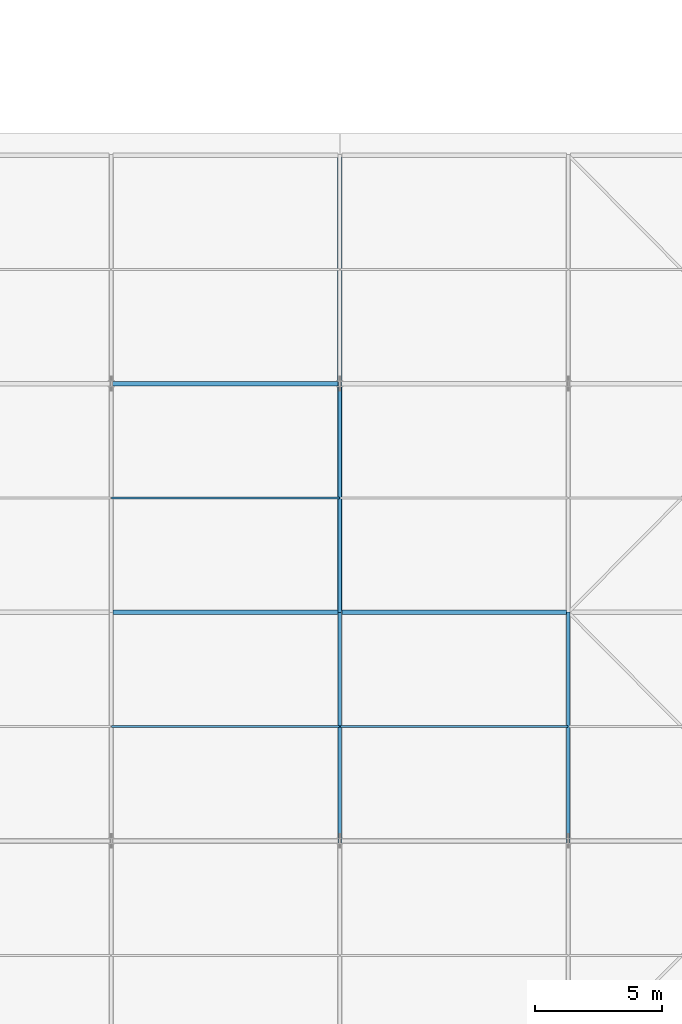
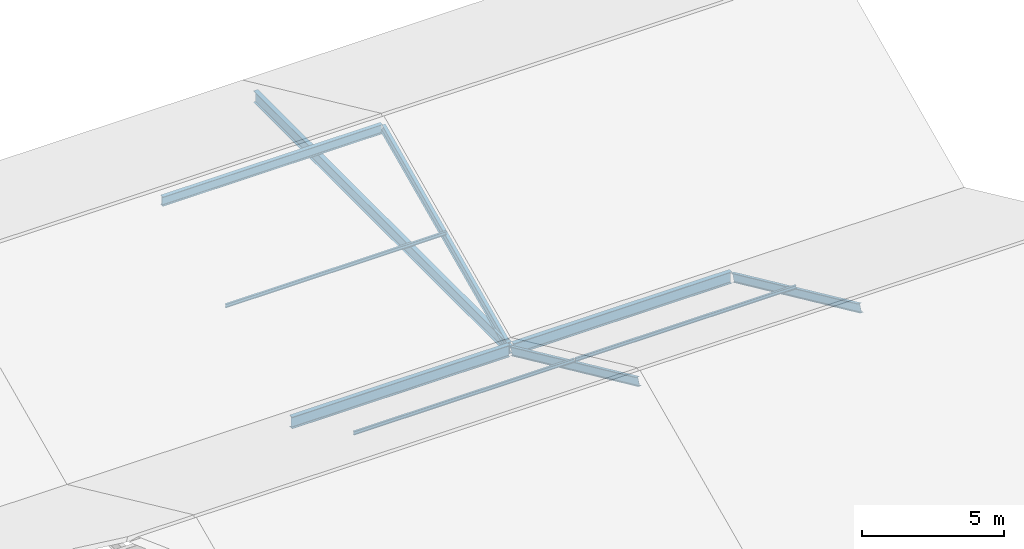
# One storey, part 87 of 163: 7 members, 3 beams.
"""IFC4 building model written with IfcOpenShell, lengths in metres."""

from ifc_helpers import new_model, si_unit, direction, frame, origin, origin_2d, place, context, subcontext, project, spatial, i_section, extrude, material, material_profile, profile_set, type_object, element, save


model = new_model("IFC4")

# Units and contexts
model_context = context("Model", 3, precision=1e-05, world=origin(), true_north=direction((0.0, 1.0)))
body_context = subcontext(model_context, "Body", "Model", "MODEL_VIEW")
ifc_project = project(units=[si_unit("LENGTHUNIT", "METRE"), si_unit("AREAUNIT", "SQUARE_METRE"), si_unit("VOLUMEUNIT", "CUBIC_METRE"), si_unit("PLANEANGLEUNIT", "RADIAN"), si_unit("MASSUNIT", "GRAM", prefix="KILO")], contexts=[model_context])

# Site, building, storey
site_placement = place(None, origin())
site = spatial("IfcSite", under=ifc_project, at=site_placement, CompositionType="ELEMENT")
building_placement = place(site_placement, origin())
building = spatial("IfcBuilding", under=site, at=building_placement, Name="Tharagai Park Tramway Depot", CompositionType="ELEMENT")
storey_placement = place(building_placement, frame((0.0, 0.0, 8.39990234375)))
storey = spatial("IfcBuildingStorey", under=building, at=storey_placement, Name="L02", CompositionType="ELEMENT", Elevation=8.39990234375)

# Beams
ifc_material_1 = material(Name="Steel E350", Category="steel")
ifc_material_profile_1 = material_profile(ifc_material_1, i_section(OverallWidth=0.179931640625, OverallDepth=0.5, WebThickness=0.01025390625, FlangeThickness=0.01708984375, FilletRadius=0.01708984375, at=origin_2d()), Name="ISMB 500")
ifc_profile_set_1 = profile_set([ifc_material_profile_1], Name="Steel E350")
beam_type = type_object("IfcBeamType", Name="BM-18", PredefinedType="BEAM", material=ifc_profile_set_1)
for number, where, z_axis, x_axis, name in (
    (1, (189.080078125, 117.0, -0.5), (1.0, 0.0, 0.0), (0.0, 1.0, 0.0), "V3B1 Roof Eave Girder BM-18"),
    (2, (198.080078125, 117.0, -0.5), (1.0, 0.0, 0.0), (0.0, 1.0, 0.0), "V3B1 Roof Eave Girder BM-18"),
):
    element("IfcBeam", number, at=place(storey_placement, frame(where, z_axis=z_axis, x_axis=x_axis)), inside=storey, type_object=beam_type, Name=name, PredefinedType="BEAM", context=body_context, shape_type="SweptSolid", body=[
        extrude(i_section(OverallWidth=0.179931640625, OverallDepth=0.5, WebThickness=0.01025390625, FlangeThickness=0.01708984375, FilletRadius=0.01708984375, at=origin_2d()), origin(), (0.0, 0.0, 1.0), 8.83984375),
    ])
beam_placement = place(storey_placement, frame((198.0, 117.080078125, -0.5), z_axis=(0.0, 1.0, 0.0), x_axis=(-1.0, 0.0, 0.0)))
element("IfcBeam", 3, at=beam_placement, inside=storey, type_object=beam_type, Name="V3B2 Gable Tie Girder BM-18", PredefinedType="BEAM", context=body_context, shape_type="SweptSolid", body=[
    extrude(i_section(OverallWidth=0.179931640625, OverallDepth=0.5, WebThickness=0.01025390625, FlangeThickness=0.01708984375, FilletRadius=0.01708984375, at=origin_2d()), origin(), (0.0, 0.0, 1.0), 17.83984375),
])

# Members
ifc_material_2 = material(Name="Steel E250", Category="steel")
ifc_material_profile_2 = material_profile(ifc_material_2, i_section(OverallWidth=0.080078125, OverallDepth=0.14990234375, WebThickness=0.0048828125, FlangeThickness=0.007568359375, FilletRadius=0.009033203125, at=origin_2d()), Name="ISMB 150")
ifc_profile_set_2 = profile_set([ifc_material_profile_2], Name="Steel E250")
member_type_1 = type_object("IfcMemberType", Name="PR-05", PredefinedType="PURLIN", material=ifc_profile_set_2)
for number, where, z_axis, x_axis, name in (
    (4, (189.02001953125, 112.5, 1.77392578125), (1.0, 0.0, 0.0), (0.0, 1.0, 0.0), "V3B1 Roof Purlin PR-05"),
    (5, (198.02001953125, 112.5, 1.77392578125), (1.0, 0.0, 0.0), (0.0, 1.0, 0.0), "V3B1 Roof Purlin PR-05"),
    (6, (189.02001953125, 121.5, 1.77392578125), (1.0, 0.0, 0.0), (0.0, 1.0, 0.0), "V3B2 Roof Purlin PR-05"),
):
    element("IfcMember", number, at=place(storey_placement, frame(where, z_axis=z_axis, x_axis=x_axis)), inside=storey, type_object=member_type_1, Name=name, PredefinedType="PURLIN", context=body_context, shape_type="SweptSolid", body=[
        extrude(i_section(OverallWidth=0.080078125, OverallDepth=0.14990234375, WebThickness=0.0048828125, FlangeThickness=0.007568359375, FilletRadius=0.009033203125, at=origin_2d()), origin(), (0.0, 0.0, 1.0), 8.9599609375),
    ])
ifc_material_profile_3 = material_profile(ifc_material_1, i_section(OverallWidth=0.139892578125, OverallDepth=0.35009765625, WebThickness=0.008056640625, FlangeThickness=0.01416015625, FilletRadius=0.013916015625, at=origin_2d()), Name="ISMB 350")
ifc_profile_set_3 = profile_set([ifc_material_profile_3], Name="Steel E350")
member_type_2 = type_object("IfcMemberType", Name="RF-01", PredefinedType="RAFTER", material=ifc_profile_set_3)
for number, where, z_axis, x_axis, name in (
    (7, (198.0, 108.0, 3.56982421875), (0.0, 0.909083998875, -0.416612869448), (-1.0, 0.0, 0.0), "V3B1 Pitched Rafter RF-01 North"),
    (8, (207.0, 108.0, 3.56982421875), (0.0, 0.909083998875, -0.416612869448), (-1.0, 0.0, 0.0), "V3B1 Pitched Rafter RF-01 North"),
    (9, (198.0, 117.050048828125, -0.53173828125), (0.0, 0.909083998875, 0.416612869448), (-1.0, 0.0, 0.0), "V3B2 Pitched Rafter RF-01 South"),
):
    element("IfcMember", number, at=place(storey_placement, frame(where, z_axis=z_axis, x_axis=x_axis)), inside=storey, type_object=member_type_2, Name=name, PredefinedType="RAFTER", context=body_context, shape_type="SweptSolid", body=[
        extrude(i_section(OverallWidth=0.139892578125, OverallDepth=0.35009765625, WebThickness=0.008056640625, FlangeThickness=0.01416015625, FilletRadius=0.013916015625, at=origin_2d()), origin(), (0.0, 0.0, 1.0), 9.844970703125),
    ])
ifc_material_profile_4 = material_profile(ifc_material_1, i_section(OverallWidth=0.1650390625, OverallDepth=0.39990234375, WebThickness=0.008056640625, FlangeThickness=0.012451171875, FilletRadius=0.013916015625, at=origin_2d()), Name="ISLB 400")
ifc_profile_set_4 = profile_set([ifc_material_profile_4], Name="Steel E350")
member_type_3 = type_object("IfcMemberType", Name="TC-04", PredefinedType="CHORD", material=ifc_profile_set_4)
member_placement = place(storey_placement, frame((189.0400390625, 126.0, 3.544921875), z_axis=(1.0, 0.0, 0.0), x_axis=(0.0, 1.0, 0.0)))
element("IfcMember", 10, at=member_placement, inside=storey, type_object=member_type_3, Name="V3B2 Roof Ridge Chord TC-04", PredefinedType="CHORD", context=body_context, shape_type="SweptSolid", body=[
    extrude(i_section(OverallWidth=0.1650390625, OverallDepth=0.39990234375, WebThickness=0.008056640625, FlangeThickness=0.012451171875, FilletRadius=0.013916015625, at=origin_2d()), origin(), (0.0, 0.0, 1.0), 8.919921875),
])

save(model, "model.ifc")
